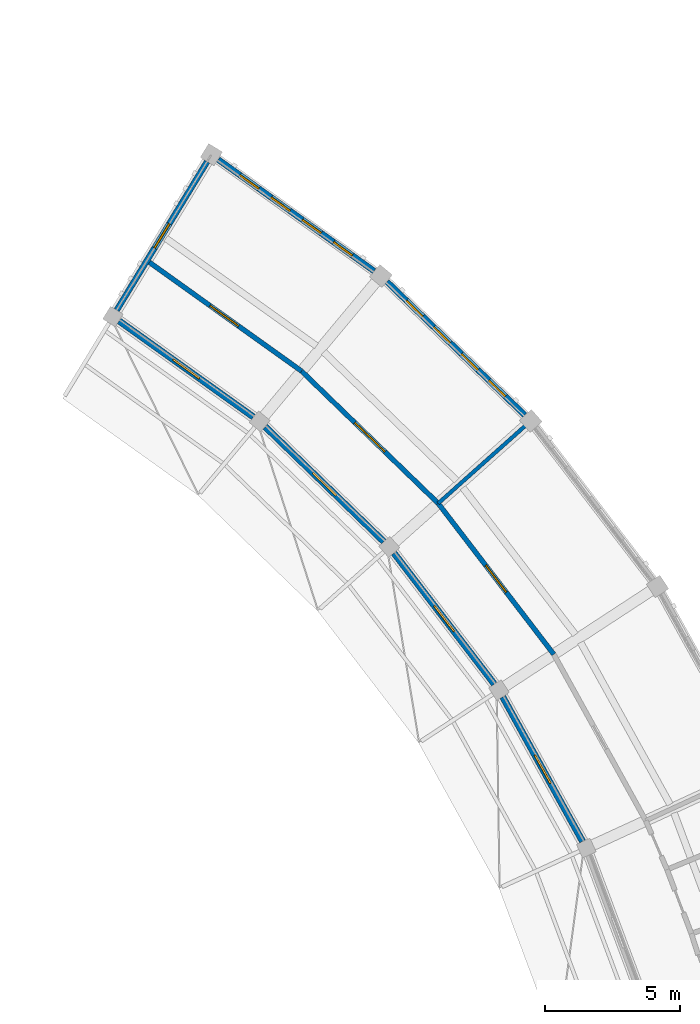
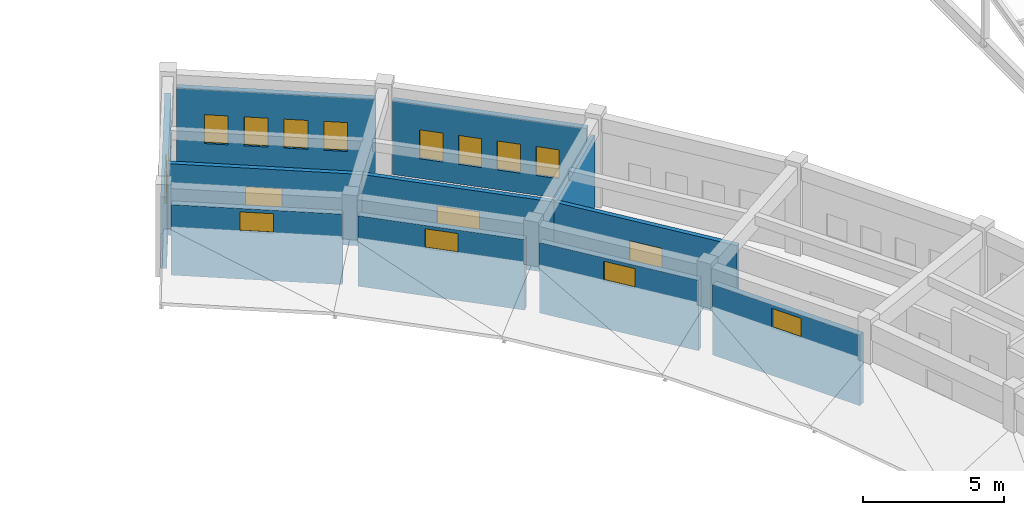
# One storey, part 89 of 112: 13 windows, 11 walls, 3 doors, 16 openings.
"""IFC4 building model written with IfcOpenShell, lengths in metres."""

from ifc_helpers import new_model, si_unit, direction, frame, frame_2d, origin, place, context, subcontext, project, spatial, rectangle, extrude, material, layer, layer_set, type_object, element, fill, save


model = new_model("IFC4")

# Units and contexts
model_context = context("Model", 3, precision=1e-05, world=origin(), true_north=direction((0.0, 1.0)))
body_context = subcontext(model_context, "Body", "Model", "MODEL_VIEW")
ifc_project = project(units=[si_unit("LENGTHUNIT", "METRE"), si_unit("AREAUNIT", "SQUARE_METRE"), si_unit("VOLUMEUNIT", "CUBIC_METRE"), si_unit("PLANEANGLEUNIT", "RADIAN"), si_unit("MASSUNIT", "GRAM", prefix="KILO")], contexts=[model_context])

# Site, building, storey
site_placement = place(None, origin())
site = spatial("IfcSite", under=ifc_project, at=site_placement, CompositionType="ELEMENT")
building_placement = place(site_placement, origin())
building = spatial("IfcBuilding", under=site, at=building_placement, Name="Celadon Cloister-Ring School", CompositionType="ELEMENT")
storey_placement = place(building_placement, frame((0.0, 0.0, 8.5)))
storey = spatial("IfcBuildingStorey", under=building, at=storey_placement, Name="L02", CompositionType="ELEMENT", Elevation=8.5)

# Wall, opening, window
ifc_material_1 = material(Name="Rendered concrete blockwork", Category="masonry")
ifc_layer_1 = layer(ifc_material_1, 0.239990234375)
ifc_layer_set_1 = layer_set([ifc_layer_1], Name="Rendered concrete blockwork")
wall_type_1 = type_object("IfcWallType", Name="WT-EX3", PredefinedType="SOLIDWALL", material=ifc_layer_set_1)
wall_1_placement = place(storey_placement, frame((127.7451171875, 78.052001953125, 0.0), z_axis=(0.0, 0.0, 1.0), x_axis=(-0.483855739492, 0.875147772299, 0.0)))
wall_1 = element("IfcWall", 1, at=wall_1_placement, inside=storey, type_object=wall_type_1, Name="Exterior Wall 0165", PredefinedType="SOLIDWALL", context=body_context, shape_type="SweptSolid", body=[
    extrude(rectangle(XDim=6.0927734375, YDim=0.239990234375, at=frame_2d((3.04638671875, 0.0))), origin(), (0.0, 0.0, 1.0), 3.050048828125),
])
opening_1_placement = place(wall_1_placement, frame((2.446044921875, 0.0, 2.050048828125)))
opening_1 = element("IfcOpeningElement", 2, at=opening_1_placement, cuts=wall_1, Name="Opening WN-49", PredefinedType="OPENING", context=body_context, shape_type="SweptSolid", body=[
    extrude(rectangle(XDim=1.199951171875, YDim=0.85009765625, at=frame_2d((0.60009765625, 0.425048828125))), frame((0.0, 0.1298828125, 0.0), z_axis=(0.0, -1.0, 0.0), x_axis=(1.0, 0.0, 0.0)), (0.0, 0.0, 1.0), 0.260009765625),
])
ifc_material_2 = material(Name="Tempered laminated insulating glass", Category="glass")
window_type_1 = type_object("IfcWindowType", Name="WN-49", PartitioningType="SINGLE_PANEL", PredefinedType="WINDOW", material=ifc_material_2)
window_1_placement = place(opening_1_placement, origin())
window_1 = element("IfcWindow", 3, at=window_1_placement, inside=storey, type_object=window_type_1, Name="Window 0425", OverallHeight=0.85009765625, OverallWidth=1.199951171875, PartitioningType="SINGLE_PANEL", PredefinedType="WINDOW", context=body_context, shape_type="SweptSolid", body=[
    extrude(rectangle(XDim=1.199951171875, YDim=0.85009765625, at=frame_2d((0.60009765625, 0.425048828125))), frame((0.0, 0.030029296875, 0.0), z_axis=(0.0, -1.0, 0.0), x_axis=(1.0, 0.0, 0.0)), (0.0, 0.0, 1.0), 0.06005859375),
])
fill(opening_1, window_1)

wall_2_placement = place(storey_placement, frame((124.48388671875, 83.863037109375, 0.0), z_axis=(0.0, 0.0, 1.0), x_axis=(-0.608073116508, 0.793881026969, 0.0)))
wall_2 = element("IfcWall", 4, at=wall_2_placement, inside=storey, type_object=wall_type_1, Name="Exterior Wall 0167", PredefinedType="SOLIDWALL", context=body_context, shape_type="SweptSolid", body=[
    extrude(rectangle(XDim=6.0927734375, YDim=0.239990234375, at=frame_2d((3.04638671875, 0.0))), origin(), (0.0, 0.0, 1.0), 3.050048828125),
])
opening_2_placement = place(wall_2_placement, frame((2.446044921875, 0.0, 2.050048828125)))
opening_2 = element("IfcOpeningElement", 5, at=opening_2_placement, cuts=wall_2, Name="Opening WN-49", PredefinedType="OPENING", context=body_context, shape_type="SweptSolid", body=[
    extrude(rectangle(XDim=1.199951171875, YDim=0.85009765625, at=frame_2d((0.60009765625, 0.425048828125))), frame((0.0, 0.1298828125, 0.0), z_axis=(0.0, -1.0, 0.0), x_axis=(1.0, 0.0, 0.0)), (0.0, 0.0, 1.0), 0.260009765625),
])
window_2_placement = place(opening_2_placement, origin())
window_2 = element("IfcWindow", 6, at=window_2_placement, inside=storey, type_object=window_type_1, Name="Window 0430", OverallHeight=0.85009765625, OverallWidth=1.199951171875, PartitioningType="SINGLE_PANEL", PredefinedType="WINDOW", context=body_context, shape_type="SweptSolid", body=[
    extrude(rectangle(XDim=1.199951171875, YDim=0.85009765625, at=frame_2d((0.60009765625, 0.425048828125))), frame((0.0, 0.030029296875, 0.0), z_axis=(0.0, -1.0, 0.0), x_axis=(1.0, 0.0, 0.0)), (0.0, 0.0, 1.0), 0.06005859375),
])
fill(opening_2, window_2)

wall_3_placement = place(storey_placement, frame((120.39892578125, 89.126953125, 0.0), z_axis=(0.0, 0.0, 1.0), x_axis=(-0.71841288608, 0.69561693849, 0.0)))
wall_3 = element("IfcWall", 7, at=wall_3_placement, inside=storey, type_object=wall_type_1, Name="Exterior Wall 0169", PredefinedType="SOLIDWALL", context=body_context, shape_type="SweptSolid", body=[
    extrude(rectangle(XDim=6.093994140625, YDim=0.239990234375, at=frame_2d((3.046875, 0.0))), origin(), (0.0, 0.0, 1.0), 3.050048828125),
])
opening_3_placement = place(wall_3_placement, frame((2.447021484375, 0.0, 2.050048828125)))
opening_3 = element("IfcOpeningElement", 8, at=opening_3_placement, cuts=wall_3, Name="Opening WN-49", PredefinedType="OPENING", context=body_context, shape_type="SweptSolid", body=[
    extrude(rectangle(XDim=1.199951171875, YDim=0.85009765625, at=frame_2d((0.60009765625, 0.425048828125))), frame((0.0, 0.1298828125, 0.0), z_axis=(0.0, -1.0, 0.0), x_axis=(1.0, 0.0, 0.0)), (0.0, 0.0, 1.0), 0.260009765625),
])
window_3_placement = place(opening_3_placement, origin())
window_3 = element("IfcWindow", 9, at=window_3_placement, inside=storey, type_object=window_type_1, Name="Window 0435", OverallHeight=0.85009765625, OverallWidth=1.199951171875, PartitioningType="SINGLE_PANEL", PredefinedType="WINDOW", context=body_context, shape_type="SweptSolid", body=[
    extrude(rectangle(XDim=1.199951171875, YDim=0.85009765625, at=frame_2d((0.60009765625, 0.425048828125))), frame((0.0, 0.030029296875, 0.0), z_axis=(0.0, -1.0, 0.0), x_axis=(1.0, 0.0, 0.0)), (0.0, 0.0, 1.0), 0.06005859375),
])
fill(opening_3, window_3)

wall_4_placement = place(storey_placement, frame((115.58203125, 93.73193359375, 0.0), z_axis=(0.0, 0.0, 1.0), x_axis=(-0.813560163871, 0.581480747542, 0.0)))
wall_4 = element("IfcWall", 10, at=wall_4_placement, inside=storey, type_object=wall_type_1, Name="Exterior Wall 0171", PredefinedType="SOLIDWALL", context=body_context, shape_type="SweptSolid", body=[
    extrude(rectangle(XDim=6.093017578125, YDim=0.239990234375, at=frame_2d((3.04638671875, 0.0))), origin(), (0.0, 0.0, 1.0), 3.050048828125),
])
opening_4_placement = place(wall_4_placement, frame((2.447021484375, 0.0, 2.050048828125)))
opening_4 = element("IfcOpeningElement", 11, at=opening_4_placement, cuts=wall_4, Name="Opening WN-49", PredefinedType="OPENING", context=body_context, shape_type="SweptSolid", body=[
    extrude(rectangle(XDim=1.199951171875, YDim=0.85009765625, at=frame_2d((0.60009765625, 0.425048828125))), frame((0.0, 0.1298828125, 0.0), z_axis=(0.0, -1.0, 0.0), x_axis=(1.0, 0.0, 0.0)), (0.0, 0.0, 1.0), 0.260009765625),
])
window_4_placement = place(opening_4_placement, origin())
window_4 = element("IfcWindow", 12, at=window_4_placement, inside=storey, type_object=window_type_1, Name="Window 0440", OverallHeight=0.85009765625, OverallWidth=1.199951171875, PartitioningType="SINGLE_PANEL", PredefinedType="WINDOW", context=body_context, shape_type="SweptSolid", body=[
    extrude(rectangle(XDim=1.199951171875, YDim=0.85009765625, at=frame_2d((0.60009765625, 0.425048828125))), frame((0.0, 0.030029296875, 0.0), z_axis=(0.0, -1.0, 0.0), x_axis=(1.0, 0.0, 0.0)), (0.0, 0.0, 1.0), 0.06005859375),
])
fill(opening_4, window_4)

# Wall, openings, windows
ifc_material_3 = material(Name="Perforated terracotta clay brick masonry", Category="masonry")
ifc_layer_2 = layer(ifc_material_3, 0.219970703125)
ifc_layer_set_2 = layer_set([ifc_layer_2], Name="Perforated terracotta clay brick masonry")
wall_type_2 = type_object("IfcWallType", Name="WT-EX4", PredefinedType="SOLIDWALL", material=ifc_layer_set_2)
wall_5_placement = place(storey_placement, frame((120.52001953125, 98.72509765625, 0.0), z_axis=(0.0, 0.0, 1.0), x_axis=(0.71857824473, -0.695446120272, 0.0)))
wall_5 = element("IfcWall", 13, at=wall_5_placement, inside=storey, type_object=wall_type_2, Name="Exterior Wall 0168", PredefinedType="SOLIDWALL", context=body_context, shape_type="SweptSolid", body=[
    extrude(rectangle(XDim=7.081787109375, YDim=0.219970703125, at=frame_2d((3.541015625, 0.0))), origin(), (0.0, 0.0, 1.0), 3.19189453125),
])
opening_5_placement = place(wall_5_placement, frame((0.990966796875, 0.0, 0.85009765625)))
opening_5 = element("IfcOpeningElement", 14, at=opening_5_placement, cuts=wall_5, Name="Opening WN-11", PredefinedType="OPENING", context=body_context, shape_type="SweptSolid", body=[
    extrude(rectangle(XDim=0.85009765625, YDim=1.25, at=frame_2d((0.425048828125, 0.625))), frame((0.0, 0.1201171875, 0.0), z_axis=(0.0, -1.0, 0.0), x_axis=(1.0, 0.0, 0.0)), (0.0, 0.0, 1.0), 0.239990234375),
])
opening_6_placement = place(wall_5_placement, frame((2.407958984375, 0.0, 0.85009765625)))
opening_6 = element("IfcOpeningElement", 15, at=opening_6_placement, cuts=wall_5, Name="Opening WN-11", PredefinedType="OPENING", context=body_context, shape_type="SweptSolid", body=[
    extrude(rectangle(XDim=0.85009765625, YDim=1.25, at=frame_2d((0.425048828125, 0.625))), frame((0.0, 0.1201171875, 0.0), z_axis=(0.0, -1.0, 0.0), x_axis=(1.0, 0.0, 0.0)), (0.0, 0.0, 1.0), 0.239990234375),
])
opening_7_placement = place(wall_5_placement, frame((3.823974609375, 0.0, 0.85009765625)))
opening_7 = element("IfcOpeningElement", 16, at=opening_7_placement, cuts=wall_5, Name="Opening WN-11", PredefinedType="OPENING", context=body_context, shape_type="SweptSolid", body=[
    extrude(rectangle(XDim=0.85009765625, YDim=1.25, at=frame_2d((0.425048828125, 0.625))), frame((0.0, 0.1201171875, 0.0), z_axis=(0.0, -1.0, 0.0), x_axis=(1.0, 0.0, 0.0)), (0.0, 0.0, 1.0), 0.239990234375),
])
opening_8_placement = place(wall_5_placement, frame((5.240966796875, 0.0, 0.85009765625)))
opening_8 = element("IfcOpeningElement", 17, at=opening_8_placement, cuts=wall_5, Name="Opening WN-11", PredefinedType="OPENING", context=body_context, shape_type="SweptSolid", body=[
    extrude(rectangle(XDim=0.85009765625, YDim=1.25, at=frame_2d((0.425048828125, 0.625))), frame((0.0, 0.1201171875, 0.0), z_axis=(0.0, -1.0, 0.0), x_axis=(1.0, 0.0, 0.0)), (0.0, 0.0, 1.0), 0.239990234375),
])
ifc_material_4 = material(Name="Tempered laminated insulating glass", Category="glass")
window_type_2 = type_object("IfcWindowType", Name="WN-11", PartitioningType="SINGLE_PANEL", PredefinedType="WINDOW", material=ifc_material_4)
window_5_placement = place(opening_5_placement, origin())
window_5 = element("IfcWindow", 18, at=window_5_placement, inside=storey, type_object=window_type_2, Name="Window 0431", OverallHeight=1.25, OverallWidth=0.85009765625, PartitioningType="SINGLE_PANEL", PredefinedType="WINDOW", context=body_context, shape_type="SweptSolid", body=[
    extrude(rectangle(XDim=0.85009765625, YDim=1.25, at=frame_2d((0.425048828125, 0.625))), frame((0.0, 0.030029296875, 0.0), z_axis=(0.0, -1.0, 0.0), x_axis=(1.0, 0.0, 0.0)), (0.0, 0.0, 1.0), 0.06005859375),
])
fill(opening_5, window_5)
window_6_placement = place(opening_6_placement, origin())
window_6 = element("IfcWindow", 19, at=window_6_placement, inside=storey, type_object=window_type_2, Name="Window 0432", OverallHeight=1.25, OverallWidth=0.85009765625, PartitioningType="SINGLE_PANEL", PredefinedType="WINDOW", context=body_context, shape_type="SweptSolid", body=[
    extrude(rectangle(XDim=0.85009765625, YDim=1.25, at=frame_2d((0.425048828125, 0.625))), frame((0.0, 0.030029296875, 0.0), z_axis=(0.0, -1.0, 0.0), x_axis=(1.0, 0.0, 0.0)), (0.0, 0.0, 1.0), 0.06005859375),
])
fill(opening_6, window_6)
window_7_placement = place(opening_7_placement, origin())
window_7 = element("IfcWindow", 20, at=window_7_placement, inside=storey, type_object=window_type_2, Name="Window 0433", OverallHeight=1.25, OverallWidth=0.85009765625, PartitioningType="SINGLE_PANEL", PredefinedType="WINDOW", context=body_context, shape_type="SweptSolid", body=[
    extrude(rectangle(XDim=0.85009765625, YDim=1.25, at=frame_2d((0.425048828125, 0.625))), frame((0.0, 0.030029296875, 0.0), z_axis=(0.0, -1.0, 0.0), x_axis=(1.0, 0.0, 0.0)), (0.0, 0.0, 1.0), 0.06005859375),
])
fill(opening_7, window_7)
window_8_placement = place(opening_8_placement, origin())
window_8 = element("IfcWindow", 21, at=window_8_placement, inside=storey, type_object=window_type_2, Name="Window 0434", OverallHeight=1.25, OverallWidth=0.85009765625, PartitioningType="SINGLE_PANEL", PredefinedType="WINDOW", context=body_context, shape_type="SweptSolid", body=[
    extrude(rectangle(XDim=0.85009765625, YDim=1.25, at=frame_2d((0.425048828125, 0.625))), frame((0.0, 0.030029296875, 0.0), z_axis=(0.0, -1.0, 0.0), x_axis=(1.0, 0.0, 0.0)), (0.0, 0.0, 1.0), 0.06005859375),
])
fill(opening_8, window_8)

wall_6_placement = place(storey_placement, frame((114.283935546875, 103.240966796875, 0.0), z_axis=(0.0, 0.0, 1.0), x_axis=(0.813425855983, -0.581668614262, 0.0)))
wall_6 = element("IfcWall", 22, at=wall_6_placement, inside=storey, type_object=wall_type_2, Name="Exterior Wall 0170", PredefinedType="SOLIDWALL", context=body_context, shape_type="SweptSolid", body=[
    extrude(rectangle(XDim=7.0810546875, YDim=0.219970703125, at=frame_2d((3.54052734375, 0.0))), origin(), (0.0, 0.0, 1.0), 3.19189453125),
])
opening_9_placement = place(wall_6_placement, frame((0.990966796875, 0.0, 0.85009765625)))
opening_9 = element("IfcOpeningElement", 23, at=opening_9_placement, cuts=wall_6, Name="Opening WN-11", PredefinedType="OPENING", context=body_context, shape_type="SweptSolid", body=[
    extrude(rectangle(XDim=0.85009765625, YDim=1.25, at=frame_2d((0.425048828125, 0.625))), frame((0.0, 0.1201171875, 0.0), z_axis=(0.0, -1.0, 0.0), x_axis=(1.0, 0.0, 0.0)), (0.0, 0.0, 1.0), 0.239990234375),
])
opening_10_placement = place(wall_6_placement, frame((2.406982421875, 0.0, 0.85009765625)))
opening_10 = element("IfcOpeningElement", 24, at=opening_10_placement, cuts=wall_6, Name="Opening WN-11", PredefinedType="OPENING", context=body_context, shape_type="SweptSolid", body=[
    extrude(rectangle(XDim=0.85009765625, YDim=1.25, at=frame_2d((0.425048828125, 0.625))), frame((0.0, 0.1201171875, 0.0), z_axis=(0.0, -1.0, 0.0), x_axis=(1.0, 0.0, 0.0)), (0.0, 0.0, 1.0), 0.239990234375),
])
opening_11_placement = place(wall_6_placement, frame((3.823974609375, 0.0, 0.85009765625)))
opening_11 = element("IfcOpeningElement", 25, at=opening_11_placement, cuts=wall_6, Name="Opening WN-11", PredefinedType="OPENING", context=body_context, shape_type="SweptSolid", body=[
    extrude(rectangle(XDim=0.85009765625, YDim=1.25, at=frame_2d((0.425048828125, 0.625))), frame((0.0, 0.1201171875, 0.0), z_axis=(0.0, -1.0, 0.0), x_axis=(1.0, 0.0, 0.0)), (0.0, 0.0, 1.0), 0.239990234375),
])
opening_12_placement = place(wall_6_placement, frame((5.239990234375, 0.0, 0.85009765625)))
opening_12 = element("IfcOpeningElement", 26, at=opening_12_placement, cuts=wall_6, Name="Opening WN-11", PredefinedType="OPENING", context=body_context, shape_type="SweptSolid", body=[
    extrude(rectangle(XDim=0.85009765625, YDim=1.25, at=frame_2d((0.425048828125, 0.625))), frame((0.0, 0.1201171875, 0.0), z_axis=(0.0, -1.0, 0.0), x_axis=(1.0, 0.0, 0.0)), (0.0, 0.0, 1.0), 0.239990234375),
])
window_9_placement = place(opening_9_placement, origin())
window_9 = element("IfcWindow", 27, at=window_9_placement, inside=storey, type_object=window_type_2, Name="Window 0436", OverallHeight=1.25, OverallWidth=0.85009765625, PartitioningType="SINGLE_PANEL", PredefinedType="WINDOW", context=body_context, shape_type="SweptSolid", body=[
    extrude(rectangle(XDim=0.85009765625, YDim=1.25, at=frame_2d((0.425048828125, 0.625))), frame((0.0, 0.030029296875, 0.0), z_axis=(0.0, -1.0, 0.0), x_axis=(1.0, 0.0, 0.0)), (0.0, 0.0, 1.0), 0.06005859375),
])
fill(opening_9, window_9)
window_10_placement = place(opening_10_placement, origin())
window_10 = element("IfcWindow", 28, at=window_10_placement, inside=storey, type_object=window_type_2, Name="Window 0437", OverallHeight=1.25, OverallWidth=0.85009765625, PartitioningType="SINGLE_PANEL", PredefinedType="WINDOW", context=body_context, shape_type="SweptSolid", body=[
    extrude(rectangle(XDim=0.85009765625, YDim=1.25, at=frame_2d((0.425048828125, 0.625))), frame((0.0, 0.030029296875, 0.0), z_axis=(0.0, -1.0, 0.0), x_axis=(1.0, 0.0, 0.0)), (0.0, 0.0, 1.0), 0.06005859375),
])
fill(opening_10, window_10)
window_11_placement = place(opening_11_placement, origin())
window_11 = element("IfcWindow", 29, at=window_11_placement, inside=storey, type_object=window_type_2, Name="Window 0438", OverallHeight=1.25, OverallWidth=0.85009765625, PartitioningType="SINGLE_PANEL", PredefinedType="WINDOW", context=body_context, shape_type="SweptSolid", body=[
    extrude(rectangle(XDim=0.85009765625, YDim=1.25, at=frame_2d((0.425048828125, 0.625))), frame((0.0, 0.030029296875, 0.0), z_axis=(0.0, -1.0, 0.0), x_axis=(1.0, 0.0, 0.0)), (0.0, 0.0, 1.0), 0.06005859375),
])
fill(opening_11, window_11)
window_12_placement = place(opening_12_placement, origin())
window_12 = element("IfcWindow", 30, at=window_12_placement, inside=storey, type_object=window_type_2, Name="Window 0439", OverallHeight=1.25, OverallWidth=0.85009765625, PartitioningType="SINGLE_PANEL", PredefinedType="WINDOW", context=body_context, shape_type="SweptSolid", body=[
    extrude(rectangle(XDim=0.85009765625, YDim=1.25, at=frame_2d((0.425048828125, 0.625))), frame((0.0, 0.030029296875, 0.0), z_axis=(0.0, -1.0, 0.0), x_axis=(1.0, 0.0, 0.0)), (0.0, 0.0, 1.0), 0.06005859375),
])
fill(opening_12, window_12)

# Wall, opening, window
wall_7_placement = place(storey_placement, frame((110.535888671875, 97.678955078125, 0.0), z_axis=(0.0, 0.0, 1.0), x_axis=(0.519875778263, 0.854241871589, 0.0)))
wall_7 = element("IfcWall", 31, at=wall_7_placement, inside=storey, type_object=wall_type_2, Name="Exterior Wall 0173", PredefinedType="SOLIDWALL", context=body_context, shape_type="SweptSolid", body=[
    extrude(rectangle(XDim=6.421142578125, YDim=0.219970703125, at=frame_2d((3.21044921875, 0.0))), origin(), (0.0, 0.0, 1.0), 3.092041015625),
])
opening_13_placement = place(wall_7_placement, frame((2.68505859375, 0.0, 0.89990234375)))
opening_13 = element("IfcOpeningElement", 32, at=opening_13_placement, cuts=wall_7, Name="Opening WN-22", PredefinedType="OPENING", context=body_context, shape_type="SweptSolid", body=[
    extrude(rectangle(XDim=1.050048828125, YDim=1.39990234375, at=frame_2d((0.52490234375, 0.699951171875))), frame((0.0, 0.1201171875, 0.0), z_axis=(0.0, -1.0, 0.0), x_axis=(1.0, 0.0, 0.0)), (0.0, 0.0, 1.0), 0.239990234375),
])
ifc_material_5 = material(Name="Tempered laminated insulating glass", Category="glass")
window_type_3 = type_object("IfcWindowType", Name="WN-22", PartitioningType="SINGLE_PANEL", PredefinedType="WINDOW", material=ifc_material_5)
window_13_placement = place(opening_13_placement, origin())
window_13 = element("IfcWindow", 33, at=window_13_placement, inside=storey, type_object=window_type_3, Name="Window 0442", OverallHeight=1.39990234375, OverallWidth=1.050048828125, PartitioningType="SINGLE_PANEL", PredefinedType="WINDOW", context=body_context, shape_type="SweptSolid", body=[
    extrude(rectangle(XDim=1.050048828125, YDim=1.39990234375, at=frame_2d((0.52490234375, 0.699951171875))), frame((0.0, 0.030029296875, 0.0), z_axis=(0.0, -1.0, 0.0), x_axis=(1.0, 0.0, 0.0)), (0.0, 0.0, 1.0), 0.06005859375),
])
fill(opening_13, window_13)

# Wall, opening, door
ifc_material_6 = material(Name="Plastered hollow concrete masonry", Category="masonry")
ifc_layer_3 = layer(ifc_material_6, 0.179931640625)
ifc_layer_set_3 = layer_set([ifc_layer_3], Name="Plastered hollow concrete masonry")
wall_type_3 = type_object("IfcWallType", Name="WT-PT2", PredefinedType="PARTITIONING", material=ifc_layer_set_3)
wall_8_placement = place(storey_placement, frame((126.68310546875, 84.9599609375, 0.0), z_axis=(0.0, 0.0, 1.0), x_axis=(-0.607932411016, 0.793988780548, 0.0)))
wall_8 = element("IfcWall", 34, at=wall_8_placement, inside=storey, type_object=wall_type_3, Name="Interior Wall 0588", PredefinedType="PARTITIONING", context=body_context, shape_type="SweptSolid", body=[
    extrude(rectangle(XDim=7.025390625, YDim=0.179931640625, at=frame_2d((3.5126953125, 0.0))), origin(), (0.0, 0.0, 1.0), 3.092041015625),
])
opening_14_placement = place(wall_8_placement, frame((2.887939453125, 0.0, 0.0)))
opening_14 = element("IfcOpeningElement", 35, at=opening_14_placement, cuts=wall_8, Name="Opening D-0203", PredefinedType="OPENING", context=body_context, shape_type="SweptSolid", body=[
    extrude(rectangle(XDim=1.25, YDim=2.199951171875, at=frame_2d((0.625, 1.10009765625))), frame((0.0, 0.10009765625, 0.0), z_axis=(0.0, -1.0, 0.0), x_axis=(1.0, 0.0, 0.0)), (0.0, 0.0, 1.0), 0.199951171875),
])
ifc_material_7 = material(Name="Galvanised fire-rated hollow steel leaf", Category="steel")
door_type_1 = type_object("IfcDoorType", Name="DT-10", OperationType="NOTDEFINED", PredefinedType="DOOR", material=ifc_material_7)
door_1_placement = place(opening_14_placement, origin())
door_1 = element("IfcDoor", 36, at=door_1_placement, inside=storey, type_object=door_type_1, Name="Door D-0203", OperationType="SINGLE_SWING_LEFT", OverallHeight=2.199951171875, OverallWidth=1.25, PredefinedType="DOOR", context=body_context, shape_type="SweptSolid", body=[
    extrude(rectangle(XDim=1.25, YDim=2.199951171875, at=frame_2d((0.625, 1.10009765625))), frame((0.0, 0.02490234375, 0.0), z_axis=(0.0, -1.0, 0.0), x_axis=(1.0, 0.0, 0.0)), (0.0, 0.0, 1.0), 0.050048828125),
])
fill(opening_14, door_1)

wall_9_placement = place(storey_placement, frame((122.412109375, 90.5380859375, 0.0), z_axis=(0.0, 0.0, 1.0), x_axis=(-0.718550040998, 0.695475260942, 0.0)))
wall_9 = element("IfcWall", 37, at=wall_9_placement, inside=storey, type_object=wall_type_3, Name="Interior Wall 0589", PredefinedType="PARTITIONING", context=body_context, shape_type="SweptSolid", body=[
    extrude(rectangle(XDim=7.025390625, YDim=0.179931640625, at=frame_2d((3.5126953125, 0.0))), origin(), (0.0, 0.0, 1.0), 3.092041015625),
])
opening_15_placement = place(wall_9_placement, frame((2.738037109375, 0.0, 0.0)))
opening_15 = element("IfcOpeningElement", 38, at=opening_15_placement, cuts=wall_9, Name="Opening D-0204", PredefinedType="OPENING", context=body_context, shape_type="SweptSolid", body=[
    extrude(rectangle(XDim=1.550048828125, YDim=2.199951171875, at=frame_2d((0.77490234375, 1.10009765625))), frame((0.0, 0.10009765625, 0.0), z_axis=(0.0, -1.0, 0.0), x_axis=(1.0, 0.0, 0.0)), (0.0, 0.0, 1.0), 0.199951171875),
])
ifc_material_8 = material(Name="Galvanised fire-rated hollow steel leaf", Category="steel")
door_type_2 = type_object("IfcDoorType", Name="DT-13", OperationType="NOTDEFINED", PredefinedType="DOOR", material=ifc_material_8)
door_2_placement = place(opening_15_placement, origin())
door_2 = element("IfcDoor", 39, at=door_2_placement, inside=storey, type_object=door_type_2, Name="Door D-0204", OperationType="SINGLE_SWING_RIGHT", OverallHeight=2.199951171875, OverallWidth=1.550048828125, PredefinedType="DOOR", context=body_context, shape_type="SweptSolid", body=[
    extrude(rectangle(XDim=1.550048828125, YDim=2.199951171875, at=frame_2d((0.77490234375, 1.10009765625))), frame((0.0, 0.02490234375, 0.0), z_axis=(0.0, -1.0, 0.0), x_axis=(1.0, 0.0, 0.0)), (0.0, 0.0, 1.0), 0.050048828125),
])
fill(opening_15, door_2)

wall_10_placement = place(storey_placement, frame((117.364013671875, 95.424072265625, 0.0), z_axis=(0.0, 0.0, 1.0), x_axis=(-0.813442184371, 0.581645779393, 0.0)))
wall_10 = element("IfcWall", 40, at=wall_10_placement, inside=storey, type_object=wall_type_3, Name="Interior Wall 0590", PredefinedType="PARTITIONING", context=body_context, shape_type="SweptSolid", body=[
    extrude(rectangle(XDim=6.911376953125, YDim=0.179931640625, at=frame_2d((3.45556640625, 0.0))), origin(), (0.0, 0.0, 1.0), 3.092041015625),
])
opening_16_placement = place(wall_10_placement, frame((2.862060546875, 0.0, 0.0)))
opening_16 = element("IfcOpeningElement", 41, at=opening_16_placement, cuts=wall_10, Name="Opening D-0205", PredefinedType="OPENING", context=body_context, shape_type="SweptSolid", body=[
    extrude(rectangle(XDim=1.300048828125, YDim=2.280029296875, at=frame_2d((0.64990234375, 1.14013671875))), frame((0.0, 0.10009765625, 0.0), z_axis=(0.0, -1.0, 0.0), x_axis=(1.0, 0.0, 0.0)), (0.0, 0.0, 1.0), 0.199951171875),
])
ifc_material_9 = material(Name="Galvanised fire-rated hollow steel leaf", Category="steel")
door_type_3 = type_object("IfcDoorType", Name="DT-16", OperationType="NOTDEFINED", PredefinedType="DOOR", material=ifc_material_9)
door_3_placement = place(opening_16_placement, origin())
door_3 = element("IfcDoor", 42, at=door_3_placement, inside=storey, type_object=door_type_3, Name="Door D-0205", OperationType="SINGLE_SWING_LEFT", OverallHeight=2.280029296875, OverallWidth=1.300048828125, PredefinedType="DOOR", context=body_context, shape_type="SweptSolid", body=[
    extrude(rectangle(XDim=1.300048828125, YDim=2.280029296875, at=frame_2d((0.64990234375, 1.14013671875))), frame((0.0, 0.02490234375, 0.0), z_axis=(0.0, -1.0, 0.0), x_axis=(1.0, 0.0, 0.0)), (0.0, 0.0, 1.0), 0.050048828125),
])
fill(opening_16, door_3)

# Wall
ifc_material_10 = material(Name="Acoustic mineral-wool drywall partition")
ifc_layer_4 = layer(ifc_material_10, 0.139892578125)
ifc_layer_set_4 = layer_set([ifc_layer_4], Name="Acoustic mineral-wool drywall partition")
wall_type_4 = type_object("IfcWallType", Name="WT-PT4", PredefinedType="PARTITIONING", material=ifc_layer_set_4)
wall_11_placement = place(storey_placement, frame((122.412109375, 90.5380859375, 0.0), z_axis=(0.0, 0.0, 1.0), x_axis=(0.746752390412, 0.665102148105, 0.0)))
element("IfcWall", 43, at=wall_11_placement, inside=storey, type_object=wall_type_4, Name="Interior Wall 0555", PredefinedType="PARTITIONING", context=body_context, shape_type="SweptSolid", body=[
    extrude(rectangle(XDim=4.287841796875, YDim=0.139892578125, at=frame_2d((2.14404296875, 0.0))), origin(), (0.0, 0.0, 1.0), 3.092041015625),
])

save(model, "model.ifc")
